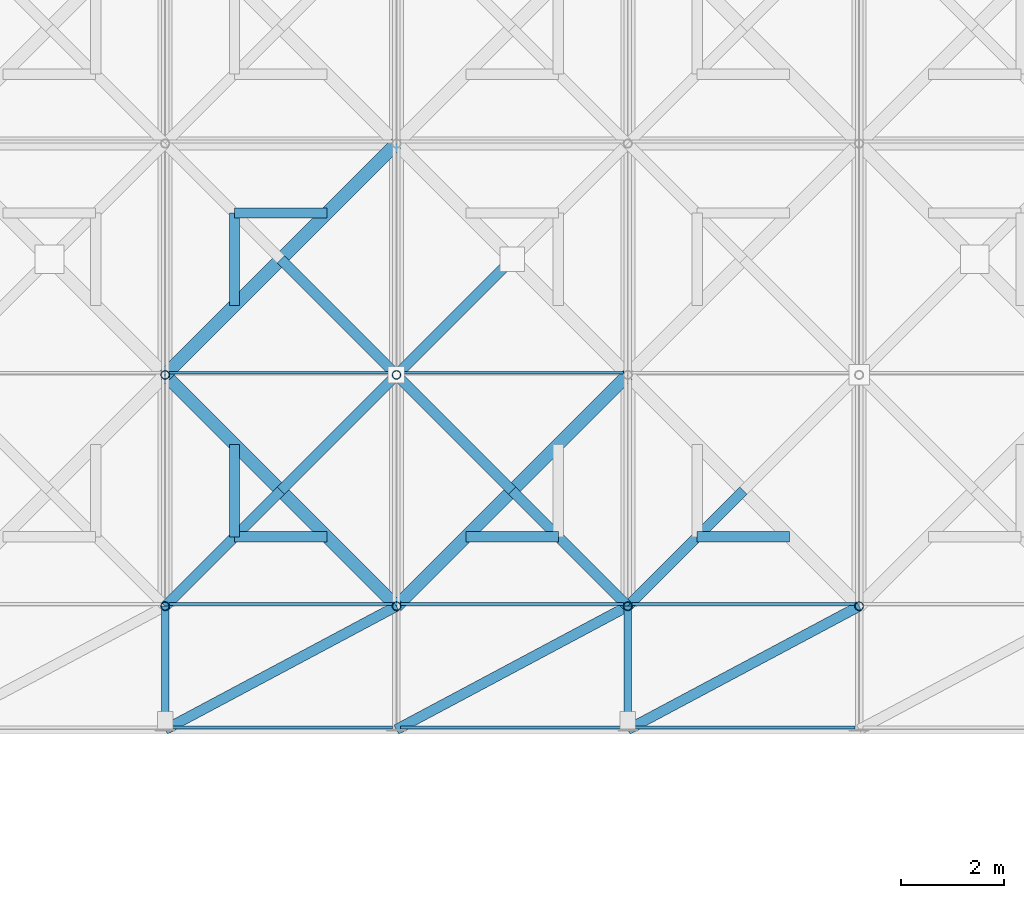
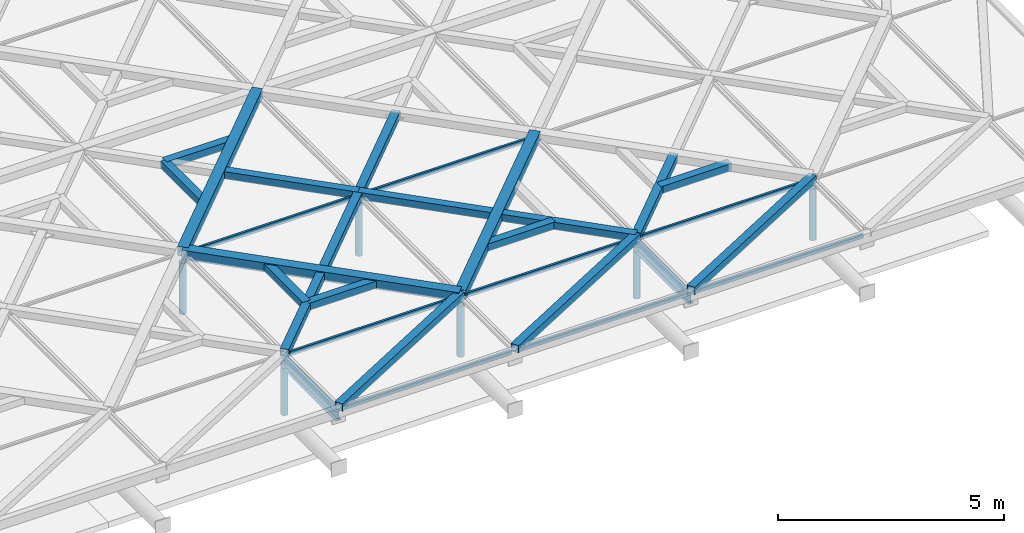
# One storey, part 22 of 80: 32 members, 2 beams, 3 elements without a shape of their own.
"""IFC4 building model written with IfcOpenShell, lengths in metres."""

from ifc_helpers import new_model, si_unit, direction, frame, origin, origin_2d, place, context, subcontext, project, spatial, rectangle, hollow_rectangle, hollow_circle, i_section, extrude, material, material_profile, profile_set, type_object, element, aggregate, save


model = new_model("IFC4")

# Units and contexts
model_context = context("Model", 3, precision=1e-05, world=origin(), true_north=direction((0.0, 1.0)))
body_context = subcontext(model_context, "Body", "Model", "MODEL_VIEW")
ifc_project = project(units=[si_unit("LENGTHUNIT", "METRE"), si_unit("AREAUNIT", "SQUARE_METRE"), si_unit("VOLUMEUNIT", "CUBIC_METRE"), si_unit("PLANEANGLEUNIT", "RADIAN"), si_unit("MASSUNIT", "GRAM", prefix="KILO"), si_unit("THERMODYNAMICTEMPERATUREUNIT", "KELVIN"), si_unit("POWERUNIT", "WATT")], contexts=[model_context])

# Site, building, storey
site_placement = place(None, origin())
site = spatial("IfcSite", under=ifc_project, at=site_placement, CompositionType="ELEMENT")
building_placement = place(site_placement, origin())
building = spatial("IfcBuilding", under=site, at=building_placement, Name="Tallowbark Science Centre", CompositionType="ELEMENT")
storey_placement = place(building_placement, frame((0.0, 0.0, 25.949951171875)))
storey = spatial("IfcBuildingStorey", under=building, at=storey_placement, Name="ROOF", CompositionType="ELEMENT", Elevation=25.949951171875)

# Beams
ifc_material_1 = material(Name="White Architectural Painted Steel Grade C350L0 (350 MPa)", Category="steel")
ifc_material_profile_1 = material_profile(ifc_material_1, i_section(OverallWidth=0.146484375, OverallDepth=0.256103515625, WebThickness=0.00634765625, FlangeThickness=0.010986328125, FilletRadius=0.0087890625, at=origin_2d()), Name="250UB37.3")
ifc_profile_set_1 = profile_set([ifc_material_profile_1], Name="White Architectural Painted Steel Grade C350L0 (350 MPa)")
beam_type = type_object("IfcBeamType", Name="BM-OUT250", PredefinedType="BEAM", material=ifc_profile_set_1)
for number, where, z_axis, x_axis, name in (
    (1, (85.5, 4.5, 0.199951171875), (0.0, -1.0, 0.0), (1.0, 0.0, 0.0), "Star Screen Outrigger Tie Beam S-107"),
    (2, (94.5, 4.5, 0.199951171875), (0.0, -1.0, 0.0), (1.0, 0.0, 0.0), "Star Screen Outrigger Tie Beam S-109"),
):
    element("IfcBeam", number, at=place(storey_placement, frame(where, z_axis=z_axis, x_axis=x_axis)), inside=storey, type_object=beam_type, Name=name, PredefinedType="BEAM", context=body_context, shape_type="SweptSolid", body=[
        extrude(i_section(OverallWidth=0.146484375, OverallDepth=0.256103515625, WebThickness=0.00634765625, FlangeThickness=0.010986328125, FilletRadius=0.0087890625, at=origin_2d()), origin(), (0.0, 0.0, 1.0), 2.39990234375),
    ])

# Curtain wall, members
ifc_material_2 = material(Name="Blue-Tinted Laminated Low-E Skylight Glass", Category="glass")
curtain_wall_type = type_object("IfcCurtainWallType", Name="CW-SKY-ROOF", PredefinedType="NOTDEFINED", material=ifc_material_2)
curtain_wall_1_placement = place(storey_placement, origin())
curtain_wall_1 = element("IfcCurtainWall", 3, at=curtain_wall_1_placement, inside=storey, type_object=curtain_wall_type, Name="Exhibition Star-Screen Skylight Bay 8", PredefinedType="NOTDEFINED")
ifc_material_3 = material(Name="Anodised Architectural Aluminium Alloy 6063-T6", Category="aluminium")
ifc_material_profile_2 = material_profile(ifc_material_3, rectangle(XDim=0.054931640625, YDim=0.1201171875, at=origin_2d()), Name="ALU55x120")
ifc_profile_set_2 = profile_set([ifc_material_profile_2], Name="Anodised Architectural Aluminium Alloy 6063-T6")
member_type_1 = type_object("IfcMemberType", Name="CWM-SKY-TRN", PredefinedType="USERDEFINED", material=ifc_profile_set_2)
member_1_placement = place(storey_placement, frame((85.580078125, 2.139892578125, 0.35205078125), z_axis=(1.0, 0.0, 0.0), x_axis=(0.0, 1.0, 0.0)))
member_1 = element("IfcMember", 4, at=member_1_placement, type_object=member_type_1, Name="Skylight Bay 8 Transom 1", ObjectType="TRANSOM", PredefinedType="USERDEFINED", context=body_context, shape_type="SweptSolid", body=[
    extrude(rectangle(XDim=0.054931640625, YDim=0.1201171875, at=origin_2d()), origin(), (0.0, 0.0, 1.0), 4.33984375),
])
member_2_placement = place(storey_placement, frame((85.580078125, 4.5400390625, 0.35205078125), z_axis=(1.0, 0.0, 0.0), x_axis=(0.0, 1.0, 0.0)))
member_2 = element("IfcMember", 5, at=member_2_placement, type_object=member_type_1, Name="Skylight Bay 8 Transom 2", ObjectType="TRANSOM", PredefinedType="USERDEFINED", context=body_context, shape_type="SweptSolid", body=[
    extrude(rectangle(XDim=0.054931640625, YDim=0.1201171875, at=origin_2d()), origin(), (0.0, 0.0, 1.0), 4.33984375),
])
member_3_placement = place(storey_placement, frame((85.580078125, 9.0400390625, 0.35205078125), z_axis=(1.0, 0.0, 0.0), x_axis=(0.0, 1.0, 0.0)))
member_3 = element("IfcMember", 6, at=member_3_placement, type_object=member_type_1, Name="Skylight Bay 8 Transom 3", ObjectType="TRANSOM", PredefinedType="USERDEFINED", context=body_context, shape_type="SweptSolid", body=[
    extrude(rectangle(XDim=0.054931640625, YDim=0.1201171875, at=origin_2d()), origin(), (0.0, 0.0, 1.0), 4.33984375),
])
aggregate(curtain_wall_1, [member_1, member_2, member_3])

curtain_wall_2_placement = place(storey_placement, origin())
curtain_wall_2 = element("IfcCurtainWall", 7, at=curtain_wall_2_placement, inside=storey, type_object=curtain_wall_type, Name="Exhibition Star-Screen Skylight Bay 9", PredefinedType="NOTDEFINED")
member_4_placement = place(storey_placement, frame((90.080078125, 2.139892578125, 0.35205078125), z_axis=(1.0, 0.0, 0.0), x_axis=(0.0, 1.0, 0.0)))
member_4 = element("IfcMember", 8, at=member_4_placement, type_object=member_type_1, Name="Skylight Bay 9 Transom 1", ObjectType="TRANSOM", PredefinedType="USERDEFINED", context=body_context, shape_type="SweptSolid", body=[
    extrude(rectangle(XDim=0.054931640625, YDim=0.1201171875, at=origin_2d()), origin(), (0.0, 0.0, 1.0), 4.33984375),
])
member_5_placement = place(storey_placement, frame((90.080078125, 4.5400390625, 0.35205078125), z_axis=(1.0, 0.0, 0.0), x_axis=(0.0, 1.0, 0.0)))
member_5 = element("IfcMember", 9, at=member_5_placement, type_object=member_type_1, Name="Skylight Bay 9 Transom 2", ObjectType="TRANSOM", PredefinedType="USERDEFINED", context=body_context, shape_type="SweptSolid", body=[
    extrude(rectangle(XDim=0.054931640625, YDim=0.1201171875, at=origin_2d()), origin(), (0.0, 0.0, 1.0), 4.33984375),
])
member_6_placement = place(storey_placement, frame((90.080078125, 9.0400390625, 0.35205078125), z_axis=(1.0, 0.0, 0.0), x_axis=(0.0, 1.0, 0.0)))
member_6 = element("IfcMember", 10, at=member_6_placement, type_object=member_type_1, Name="Skylight Bay 9 Transom 3", ObjectType="TRANSOM", PredefinedType="USERDEFINED", context=body_context, shape_type="SweptSolid", body=[
    extrude(rectangle(XDim=0.054931640625, YDim=0.1201171875, at=origin_2d()), origin(), (0.0, 0.0, 1.0), 4.33984375),
])
aggregate(curtain_wall_2, [member_4, member_5, member_6])

curtain_wall_3_placement = place(storey_placement, origin())
curtain_wall_3 = element("IfcCurtainWall", 11, at=curtain_wall_3_placement, inside=storey, type_object=curtain_wall_type, Name="Exhibition Star-Screen Skylight Bay 10", PredefinedType="NOTDEFINED")
member_7_placement = place(storey_placement, frame((94.580078125, 2.139892578125, 0.35205078125), z_axis=(1.0, 0.0, 0.0), x_axis=(0.0, 1.0, 0.0)))
member_7 = element("IfcMember", 12, at=member_7_placement, type_object=member_type_1, Name="Skylight Bay 10 Transom 1", ObjectType="TRANSOM", PredefinedType="USERDEFINED", context=body_context, shape_type="SweptSolid", body=[
    extrude(rectangle(XDim=0.054931640625, YDim=0.1201171875, at=origin_2d()), origin(), (0.0, 0.0, 1.0), 4.33984375),
])
member_8_placement = place(storey_placement, frame((94.580078125, 4.5400390625, 0.35205078125), z_axis=(1.0, 0.0, 0.0), x_axis=(0.0, 1.0, 0.0)))
member_8 = element("IfcMember", 13, at=member_8_placement, type_object=member_type_1, Name="Skylight Bay 10 Transom 2", ObjectType="TRANSOM", PredefinedType="USERDEFINED", context=body_context, shape_type="SweptSolid", body=[
    extrude(rectangle(XDim=0.054931640625, YDim=0.1201171875, at=origin_2d()), origin(), (0.0, 0.0, 1.0), 4.33984375),
])
aggregate(curtain_wall_3, [member_7, member_8])

# Members
ifc_material_profile_3 = material_profile(ifc_material_1, hollow_rectangle(XDim=0.25, YDim=0.25, WallThickness=0.009033203125, at=origin_2d()), Name="250x250x9.0SHS")
ifc_profile_set_3 = profile_set([ifc_material_profile_3], Name="White Architectural Painted Steel Grade C350L0 (350 MPa)")
member_type_2 = type_object("IfcMemberType", Name="SCR-CHD200", PredefinedType="CHORD", material=ifc_profile_set_3)
for number, where, z_axis, x_axis, name in (
    (14, (90.0, 4.5, 0.449951171875), (0.707106781187, 0.707106781187, 0.0), (-0.707106781187, 0.707106781187, 0.0), "Star Screen Octagram Diamond Chord TOP-66-1"),
    (15, (90.0, 13.5, 0.449951171875), (-0.707106781187, -0.707106781187, 0.0), (0.707106781187, -0.707106781187, 0.0), "Star Screen Octagram Diamond Chord TOP-66-3"),
    (16, (85.5, 9.0, 0.449951171875), (0.707106781187, -0.707106781187, 0.0), (0.707106781187, 0.707106781187, 0.0), "Star Screen Octagram Diamond Chord TOP-66-4"),
):
    element("IfcMember", number, at=place(storey_placement, frame(where, z_axis=z_axis, x_axis=x_axis)), inside=storey, type_object=member_type_2, Name=name, PredefinedType="CHORD", context=body_context, shape_type="SweptSolid", body=[
        extrude(hollow_rectangle(XDim=0.25, YDim=0.25, WallThickness=0.009033203125, at=origin_2d()), origin(), (0.0, 0.0, 1.0), 6.364013671875),
    ])
ifc_material_profile_4 = material_profile(ifc_material_1, hollow_rectangle(XDim=0.199951171875, YDim=0.199951171875, WallThickness=0.009033203125, at=origin_2d()), Name="200x200x9.0SHS")
ifc_profile_set_4 = profile_set([ifc_material_profile_4], Name="White Architectural Painted Steel Grade C350L0 (350 MPa)")
member_type_3 = type_object("IfcMemberType", Name="SCR-STAR139", PredefinedType="BRACE", material=ifc_profile_set_4)
member_9_placement = place(storey_placement, frame((85.5, 4.5, 0.449951171875), z_axis=(0.707106781187, 0.707106781187, 0.0), x_axis=(-0.707106781187, 0.707106781187, 0.0)))
element("IfcMember", 17, at=member_9_placement, inside=storey, type_object=member_type_3, Name="Star Screen Continuous X-Diagonal D1A TOP-66", PredefinedType="BRACE", context=body_context, shape_type="SweptSolid", body=[
    extrude(hollow_rectangle(XDim=0.199951171875, YDim=0.199951171875, WallThickness=0.009033203125, at=origin_2d()), origin(), (0.0, 0.0, 1.0), 3.181884765625),
])
member_10_placement = place(storey_placement, frame((87.75, 6.75, 0.449951171875), z_axis=(0.707106781187, 0.707106781187, 0.0), x_axis=(-0.707106781187, 0.707106781187, 0.0)))
element("IfcMember", 18, at=member_10_placement, inside=storey, type_object=member_type_3, Name="Star Screen Continuous X-Diagonal D1M TOP-66", PredefinedType="BRACE", context=body_context, shape_type="SweptSolid", body=[
    extrude(hollow_rectangle(XDim=0.199951171875, YDim=0.199951171875, WallThickness=0.009033203125, at=origin_2d()), origin(), (0.0, 0.0, 1.0), 6.364013671875),
])
for number, where, z_axis, x_axis, name in (
    (19, (87.75, 11.25, 0.449951171875), (0.707106781187, -0.707106781187, 0.0), (0.707106781187, 0.707106781187, 0.0), "Star Screen Split X-Diagonal D2B TOP-66"),
    (20, (90.0, 9.0, 0.449951171875), (0.707106781187, -0.707106781187, 0.0), (0.707106781187, 0.707106781187, 0.0), "Star Screen Split X-Diagonal D2C TOP-66"),
    (21, (92.25, 6.75, 0.449951171875), (0.707106781187, -0.707106781187, 0.0), (0.707106781187, 0.707106781187, 0.0), "Star Screen Split X-Diagonal D2D TOP-66"),
    (22, (94.5, 4.5, 0.449951171875), (0.707106781187, 0.707106781187, 0.0), (-0.707106781187, 0.707106781187, 0.0), "Star Screen Continuous X-Diagonal D1A TOP-70"),
):
    element("IfcMember", number, at=place(storey_placement, frame(where, z_axis=z_axis, x_axis=x_axis)), inside=storey, type_object=member_type_3, Name=name, PredefinedType="BRACE", context=body_context, shape_type="SweptSolid", body=[
        extrude(hollow_rectangle(XDim=0.199951171875, YDim=0.199951171875, WallThickness=0.009033203125, at=origin_2d()), origin(), (0.0, 0.0, 1.0), 3.181884765625),
    ])
for number, where, z_axis, x_axis, name in (
    (23, (85.5, 2.10009765625, 0.449951171875), (0.882360891967, 0.470573327259, 0.0), (-0.470573327259, 0.882360891967, 0.0), "Top Perimeter Gap Star Diagonal 8-1"),
    (24, (90.0, 2.10009765625, 0.449951171875), (0.882360891967, 0.470573327259, 0.0), (-0.470573327259, 0.882360891967, 0.0), "Top Perimeter Gap Star Diagonal 9-1"),
    (25, (94.5, 2.10009765625, 0.449951171875), (0.882360891967, 0.470573327259, 0.0), (-0.470573327259, 0.882360891967, 0.0), "Top Perimeter Gap Star Diagonal 10-1"),
):
    element("IfcMember", number, at=place(storey_placement, frame(where, z_axis=z_axis, x_axis=x_axis)), inside=storey, type_object=member_type_3, Name=name, PredefinedType="BRACE", context=body_context, shape_type="SweptSolid", body=[
        extrude(hollow_rectangle(XDim=0.199951171875, YDim=0.199951171875, WallThickness=0.009033203125, at=origin_2d()), origin(), (0.0, 0.0, 1.0), 5.099853515625),
    ])
ifc_material_profile_5 = material_profile(ifc_material_1, hollow_rectangle(XDim=0.199951171875, YDim=0.199951171875, WallThickness=0.009033203125, at=origin_2d()), Name="200x200x9.0SHS")
ifc_profile_set_5 = profile_set([ifc_material_profile_5], Name="White Architectural Painted Steel Grade C350L0 (350 MPa)")
member_type_4 = type_object("IfcMemberType", Name="SCR-SUB150", PredefinedType="BRACE", material=ifc_profile_set_5)
for number, where, z_axis, x_axis, name in (
    (26, (86.85009765625, 5.85009765625, 0.449951171875), (1.0, 0.0, 0.0), (0.0, 1.0, 0.0), "Star Screen Octagram Point Ray TOP-66-1"),
    (27, (86.85009765625, 5.85009765625, 0.449951171875), (0.0, 1.0, 0.0), (-1.0, 0.0, 0.0), "Star Screen Octagram Point Ray TOP-66-2"),
    (28, (93.14990234375, 5.85009765625, 0.449951171875), (-1.0, 0.0, 0.0), (0.0, -1.0, 0.0), "Star Screen Octagram Point Ray TOP-66-3"),
    (29, (86.85009765625, 12.14990234375, 0.449951171875), (1.0, 0.0, 0.0), (0.0, 1.0, 0.0), "Star Screen Octagram Point Ray TOP-66-7"),
    (30, (86.85009765625, 12.14990234375, 0.449951171875), (0.0, -1.0, 0.0), (1.0, 0.0, 0.0), "Star Screen Octagram Point Ray TOP-66-8"),
    (31, (95.85009765625, 5.85009765625, 0.449951171875), (1.0, 0.0, 0.0), (0.0, 1.0, 0.0), "Star Screen Octagram Point Ray TOP-70-1"),
):
    element("IfcMember", number, at=place(storey_placement, frame(where, z_axis=z_axis, x_axis=x_axis)), inside=storey, type_object=member_type_4, Name=name, PredefinedType="BRACE", context=body_context, shape_type="SweptSolid", body=[
        extrude(hollow_rectangle(XDim=0.199951171875, YDim=0.199951171875, WallThickness=0.009033203125, at=origin_2d()), origin(), (0.0, 0.0, 1.0), 1.7998046875),
    ])
ifc_material_profile_6 = material_profile(ifc_material_1, hollow_circle(Radius=0.084228515625, WallThickness=0.007080078125, at=origin_2d()), Name="168.3x7.1CHS")
ifc_profile_set_6 = profile_set([ifc_material_profile_6], Name="White Architectural Painted Steel Grade C350L0 (350 MPa)")
member_type_5 = type_object("IfcMemberType", Name="TR-WEB168", PredefinedType="BRACE", material=ifc_profile_set_6)
for number, where, z_axis, x_axis, name in (
    (32, (85.5, 4.5, -1.199951171875), (0.0, 0.0, 1.0), (1.0, 0.0, 0.0), "Exhibition Roof Truss Web 7-4.5"),
    (33, (85.5, 9.0, -1.199951171875), (0.0, 0.0, 1.0), (1.0, 0.0, 0.0), "Exhibition Roof Truss Web 7-9"),
    (34, (90.0, 4.5, -1.199951171875), (0.0, 0.0, 1.0), (1.0, 0.0, 0.0), "Exhibition Roof Truss Web 8-4.5"),
    (35, (90.0, 9.0, -1.199951171875), (0.0, 0.0, 1.0), (1.0, 0.0, 0.0), "Exhibition Roof Truss Web 8-9"),
    (36, (94.5, 4.5, -1.199951171875), (0.0, 0.0, 1.0), (1.0, 0.0, 0.0), "Exhibition Roof Truss Web 9-4.5"),
    (37, (99.0, 4.5, -1.199951171875), (0.0, 0.0, 1.0), (1.0, 0.0, 0.0), "Exhibition Roof Truss Web 10-4.5"),
):
    element("IfcMember", number, at=place(storey_placement, frame(where, z_axis=z_axis, x_axis=x_axis)), inside=storey, type_object=member_type_5, Name=name, PredefinedType="BRACE", context=body_context, shape_type="SweptSolid", body=[
        extrude(hollow_circle(Radius=0.084228515625, WallThickness=0.007080078125, at=origin_2d()), origin(), (0.0, 0.0, 1.0), 1.389892578125),
    ])

save(model, "model.ifc")
